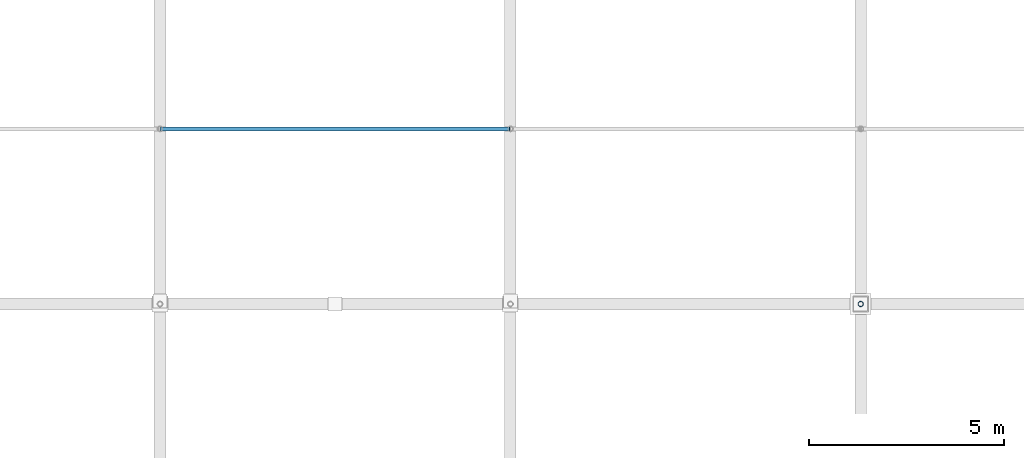
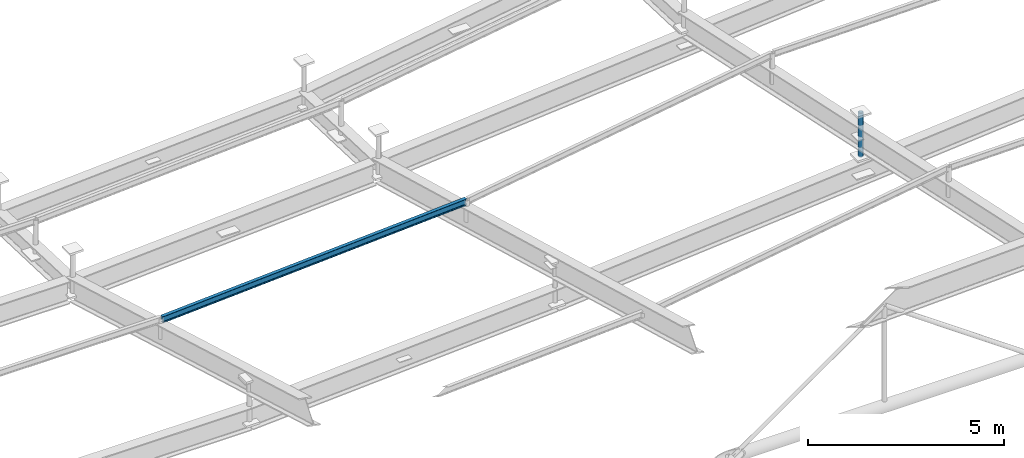
# One storey, part 48 of 80: 2 members.
"""IFC4 building model written with IfcOpenShell, lengths in metres."""

import ifcopenshell
import ifcopenshell.guid

model = None  # the IFC model being written
_history = None  # IfcOwnerHistory: only IFC2X3 demands one
_inside = {}  # id of a spatial element -> (the spatial element, [elements in it])
_under = {}  # id of a project, library or spatial element -> (it, [spatial elements below it])
_declared = {}  # id of a project -> (the project, [libraries it declares])
_typed = {}  # id of a type object -> (the type object, [elements of that type])
_made_of = {}  # id of a material, layer set ... -> (it, [elements and type objects made of it])


def new_model(schema):
    """Start an empty IFC model of exactly this schema.

    Asked for "IFC4X3", IfcOpenShell would pick the latest addendum, in which some entities
    have other attributes; the version numbers below select the first issue.
    IFC2X3 requires an IfcOwnerHistory on every rooted entity: one is made here for all.
    """
    global model, _history
    if schema == "IFC4X3":
        model = ifcopenshell.file(schema_version=(4, 3, 0, 0))
    else:
        model = ifcopenshell.file(schema=schema)
    _inside.clear()
    _under.clear()
    _declared.clear()
    _typed.clear()
    _made_of.clear()
    _history = None
    if model.schema == "IFC2X3":
        org = make("IfcOrganization", Name="unknown")
        user = make(
            "IfcPersonAndOrganization",
            ThePerson=make("IfcPerson", FamilyName="unknown"),
            TheOrganization=org,
        )
        app = make(
            "IfcApplication",
            ApplicationDeveloper=org,
            Version="unknown",
            ApplicationFullName="unknown",
            ApplicationIdentifier="unknown",
        )
        _history = make(
            "IfcOwnerHistory",
            OwningUser=user,
            OwningApplication=app,
            ChangeAction="ADDED",
            CreationDate=0,
        )
    return model


def make(cls, **values):
    """One entity of the class cls with the attributes given. An attribute that is None is left unset."""
    return model.create_entity(
        cls, **{name: value for name, value in values.items() if value is not None}
    )


def rooted(cls, **values):
    """An entity with a GlobalId (a new one), such as an element, a storey or a relation."""
    return make(cls, GlobalId=ifcopenshell.guid.new(), OwnerHistory=_history, **values)


def si_unit(unit_type, name, prefix=None):
    """IfcSIUnit, for example si_unit("LENGTHUNIT", "METRE", prefix="MILLI")."""
    return make("IfcSIUnit", UnitType=unit_type, Prefix=prefix, Name=name)


def assignment(units):
    """IfcUnitAssignment: the units of a project."""
    return None if units is None else make("IfcUnitAssignment", Units=units)


def point(xyz):
    """IfcCartesianPoint."""
    return None if xyz is None else make("IfcCartesianPoint", Coordinates=xyz)


def direction(xyz):
    """IfcDirection."""
    return None if xyz is None else make("IfcDirection", DirectionRatios=xyz)


def frame(location, z_axis=None, x_axis=None):
    """IfcAxis2Placement3D, a coordinate frame: its origin and axes. An axis left out is left unset."""
    return make(
        "IfcAxis2Placement3D",
        Location=point(location),
        Axis=direction(z_axis),
        RefDirection=direction(x_axis),
    )


def frame_2d(location, x_axis=None):
    """IfcAxis2Placement2D, a coordinate frame in the plane: its origin and x axis."""
    return make(
        "IfcAxis2Placement2D", Location=point(location), RefDirection=direction(x_axis)
    )


def origin():
    """The frame at (0, 0, 0) with its axes left unset."""
    return frame((0.0, 0.0, 0.0))


def origin_2d():
    """The frame at (0, 0) in the plane with its x axis left unset."""
    return frame_2d((0.0, 0.0))


def place(relative_to, where):
    """IfcLocalPlacement: puts the frame where relative to a parent placement (None: the world)."""
    return make(
        "IfcLocalPlacement", PlacementRelTo=relative_to, RelativePlacement=where
    )


def context(
    kind, dimensions, precision=None, world=None, true_north=None, identifier=None
):
    """IfcGeometricRepresentationContext, for example the 3D "Model" context."""
    return make(
        "IfcGeometricRepresentationContext",
        ContextIdentifier=identifier,
        ContextType=kind,
        CoordinateSpaceDimension=dimensions,
        Precision=precision,
        WorldCoordinateSystem=world,
        TrueNorth=true_north,
    )


def subcontext(parent, identifier, kind, view, scale=None):
    """IfcGeometricRepresentationSubContext, for example "Body" below "Model"."""
    return make(
        "IfcGeometricRepresentationSubContext",
        ContextIdentifier=identifier,
        ContextType=kind,
        ParentContext=parent,
        TargetScale=scale,
        TargetView=view,
    )


def project(units=None, contexts=None):
    """IfcProject with its units and contexts."""
    return rooted(
        "IfcProject",
        Name="project",
        RepresentationContexts=contexts,
        UnitsInContext=assignment(units),
    )


def spatial(cls, under=None, at=None, **own):
    """A site, building, storey or space (cls), placed at a placement, below another one or the project."""
    s = rooted(cls, ObjectPlacement=at, **own)
    if under is not None:
        _under.setdefault(under.id(), (under, []))[1].append(s)
    return s


def profile(cls, at=None, kind="AREA", **sizes):
    """A parametric profile (cls). Its sizes go by their IFC names, for example OverallWidth=200.0."""
    return make(cls, ProfileType=kind, Position=at, **sizes)


def hollow_circle(**sizes):
    """IfcCircleHollowProfileDef."""
    return profile("IfcCircleHollowProfileDef", **sizes)


def i_section(**sizes):
    """IfcIShapeProfileDef."""
    return profile("IfcIShapeProfileDef", **sizes)


def extrude(swept, where, along, depth):
    """IfcExtrudedAreaSolid: the profile swept, set in the frame where, extruded along a direction by depth."""
    return make(
        "IfcExtrudedAreaSolid",
        SweptArea=swept,
        Position=where,
        ExtrudedDirection=direction(along),
        Depth=depth,
    )


def shape(context_of_items, identifier, shape_type, items):
    """IfcShapeRepresentation: the items that make up one representation, for example the "Body"."""
    return make(
        "IfcShapeRepresentation",
        ContextOfItems=context_of_items,
        RepresentationIdentifier=identifier,
        RepresentationType=shape_type,
        Items=items,
    )


def material(Name=None, Category=None):
    """IfcMaterial."""
    return make("IfcMaterial", Name=Name, Category=Category)


def material_profile(
    of_material, cross_section, Name=None, Category=None, Priority=None
):
    """IfcMaterialProfile: a cross section and its material."""
    return make(
        "IfcMaterialProfile",
        Name=Name,
        Material=of_material,
        Profile=cross_section,
        Priority=Priority,
        Category=Category,
    )


def profile_set(profiles, Name=None, composite=None):
    """IfcMaterialProfileSet."""
    return make(
        "IfcMaterialProfileSet",
        Name=Name,
        MaterialProfiles=profiles,
        CompositeProfile=composite,
    )


def made_of(thing, what):
    """Note that an element or type object is made of a material, layer set ...; save() writes the relation."""
    if what is not None:
        _made_of.setdefault(what.id(), (what, []))[1].append(thing)
    return thing


def type_object(cls, material=None, **own):
    """A type object (cls), such as IfcWallType, which elements share."""
    return made_of(rooted(cls, **own), material)


def element(
    cls,
    number,
    at=None,
    inside=None,
    cuts=None,
    type_object=None,
    material=None,
    context=None,
    identifier="Body",
    shape_type=None,
    held_by="IfcProductDefinitionShape",
    body=None,
    shapes=None,
    **own,
):
    """One element of the class cls, such as IfcWall. Its Tag is "e" and its number.

    at: its placement. inside: the storey or other place that contains it. cuts: it is an
    opening in that element (IfcRelVoidsElement). A single representation is given by context,
    identifier, shape_type and body (its items); several are given by shapes. held_by: the class
    of the entity that holds the representations. save() writes the other relations.
    """
    e = rooted(cls, Tag="e%d" % number, ObjectPlacement=at, **own)
    if body is not None:
        shapes = [shape(context, identifier, shape_type, body)]
    if shapes is not None:
        e.Representation = make(held_by, Representations=shapes)
    if inside is not None:
        _inside.setdefault(inside.id(), (inside, []))[1].append(e)
    if cuts is not None:
        rooted(
            "IfcRelVoidsElement", RelatingBuildingElement=cuts, RelatedOpeningElement=e
        )
    if type_object is not None:
        _typed.setdefault(type_object.id(), (type_object, []))[1].append(e)
    return made_of(e, material)


def aggregate(whole, parts):
    """IfcRelAggregates: a whole, such as a stair, and the parts it consists of."""
    return rooted("IfcRelAggregates", RelatingObject=whole, RelatedObjects=parts)


def save(model, path):
    """Write the relations noted so far, then the file.

    IfcRelAggregates (storeys below a building ...), IfcRelContainedInSpatialStructure (elements
    in a storey), IfcRelDefinesByType, IfcRelAssociatesMaterial and IfcRelDeclares: one each for
    every whole, place, type object, material and project.
    """
    for whole, parts in _under.values():
        aggregate(whole, parts)
    for where, things in _inside.values():
        rooted(
            "IfcRelContainedInSpatialStructure",
            RelatedElements=things,
            RelatingStructure=where,
        )
    for kind, things in _typed.values():
        rooted("IfcRelDefinesByType", RelatedObjects=things, RelatingType=kind)
    for what, things in _made_of.values():
        rooted("IfcRelAssociatesMaterial", RelatedObjects=things, RelatingMaterial=what)
    for by, libraries in _declared.values():
        rooted("IfcRelDeclares", RelatingContext=by, RelatedDefinitions=libraries)
    model.write(path)


model = new_model("IFC4")

# Units and contexts
model_context = context("Model", 3, precision=1e-05, world=origin(), true_north=direction((0.0, 1.0)))
body_context = subcontext(model_context, "Body", "Model", "MODEL_VIEW")
ifc_project = project(units=[si_unit("LENGTHUNIT", "METRE"), si_unit("AREAUNIT", "SQUARE_METRE"), si_unit("VOLUMEUNIT", "CUBIC_METRE"), si_unit("PLANEANGLEUNIT", "RADIAN"), si_unit("MASSUNIT", "GRAM", prefix="KILO")], contexts=[model_context])

# Site, building, storey
site_placement = place(None, origin())
site = spatial("IfcSite", under=ifc_project, at=site_placement, CompositionType="ELEMENT")
building_placement = place(site_placement, origin())
building = spatial("IfcBuilding", under=site, at=building_placement, Name="Barlavento Convention Centre", CompositionType="ELEMENT")
storey_placement = place(building_placement, frame((0.0, 0.0, 29.800048828125)))
storey = spatial("IfcBuildingStorey", under=building, at=storey_placement, Name="RF", CompositionType="ELEMENT", Elevation=29.800048828125)

# Members
ifc_material = material(Name="Steel S355", Category="steel")
ifc_material_profile_1 = material_profile(ifc_material, hollow_circle(Radius=0.06982421875, WallThickness=0.008056640625, at=origin_2d()), Name="CHS 139.7x8.0")
ifc_profile_set_1 = profile_set([ifc_material_profile_1], Name="Steel S355")
member_type_1 = type_object("IfcMemberType", Name="STR-MEM-DIAG-CHS139", PredefinedType="BRACE", material=ifc_profile_set_1)
member_1_placement = place(storey_placement, frame((54.0, 45.0, -3.59375), z_axis=(0.0, 0.0, 1.0), x_axis=(1.0, 0.0, 0.0)))
element("IfcMember", 1, at=member_1_placement, inside=storey, type_object=member_type_1, Name="Congress space frame vertical node post TD04", PredefinedType="BRACE", context=body_context, shape_type="SweptSolid", body=[
    extrude(hollow_circle(Radius=0.06982421875, WallThickness=0.008056640625, at=origin_2d()), origin(), (0.0, 0.0, 1.0), 1.3701171875),
])
ifc_material_profile_2 = material_profile(ifc_material, i_section(OverallWidth=0.10009765625, OverallDepth=0.199951171875, WebThickness=0.005615234375, FlangeThickness=0.008544921875, FilletRadius=0.011962890625, at=origin_2d()), Name="IPE 200")
ifc_profile_set_2 = profile_set([ifc_material_profile_2], Name="Steel S355")
member_type_2 = type_object("IfcMemberType", Name="STR-MEM-PUR-IPE200", PredefinedType="PURLIN", material=ifc_profile_set_2)
member_2_placement = place(storey_placement, frame((36.02001953125, 49.5, -5.11083984375), z_axis=(0.99818200864, 0.0, 0.060271698396), x_axis=(0.0, 1.0, 0.0)))
element("IfcMember", 2, at=member_2_placement, inside=storey, type_object=member_type_2, Name="Congress roof intermediate purlin PR01", PredefinedType="PURLIN", context=body_context, shape_type="SweptSolid", body=[
    extrude(i_section(OverallWidth=0.10009765625, OverallDepth=0.199951171875, WebThickness=0.005615234375, FlangeThickness=0.008544921875, FilletRadius=0.011962890625, at=origin_2d()), origin(), (0.0, 0.0, 1.0), 8.976318359375),
])

save(model, "model.ifc")
